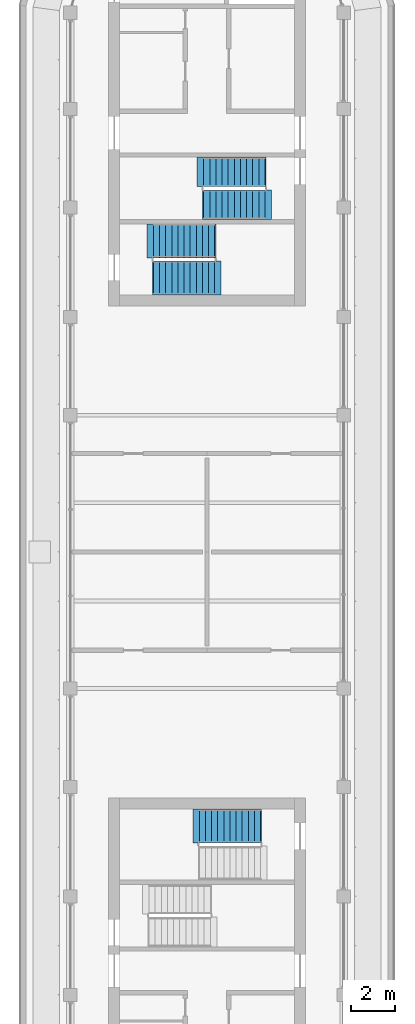
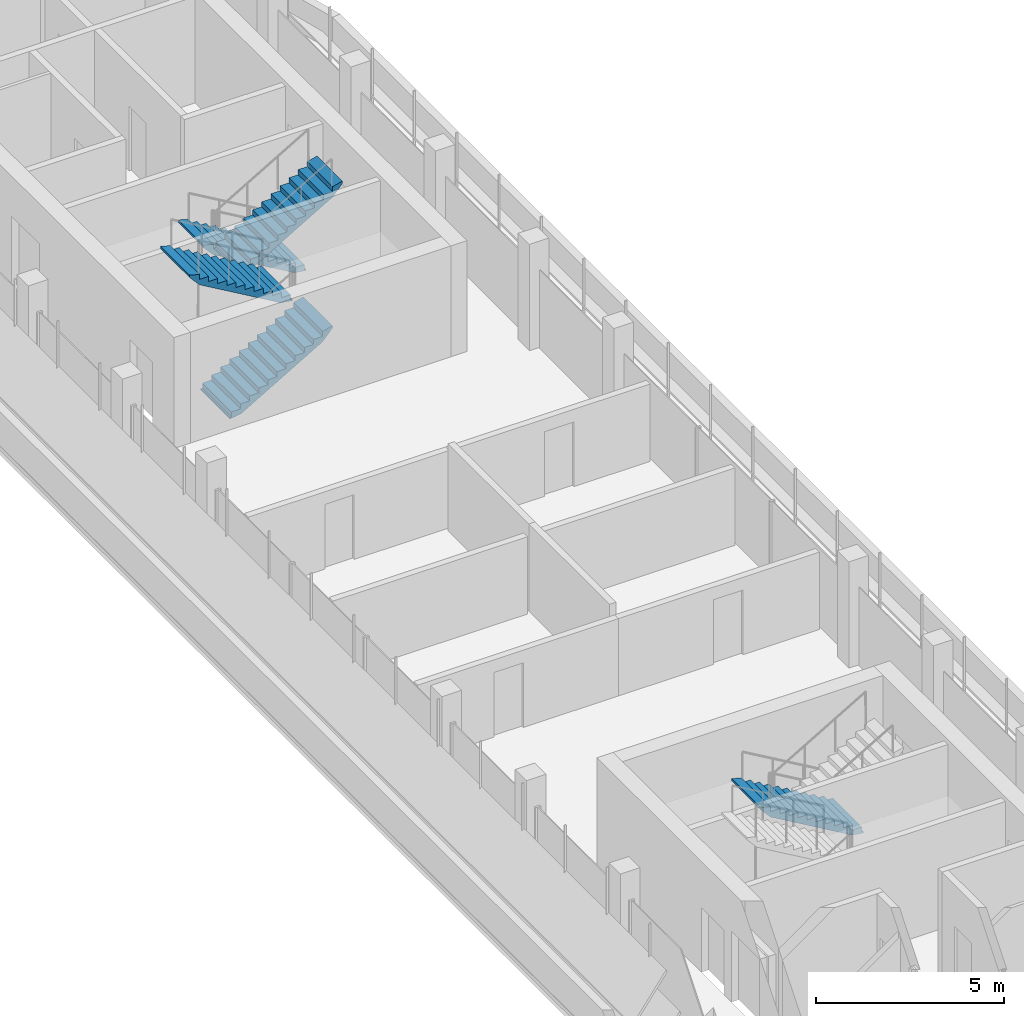
# One storey, part 10 of 12: 5 stair flights, 3 elements without a shape of their own.
"""IFC4 building model written with IfcOpenShell, lengths in metres."""

from ifc_helpers import new_model, si_unit, direction, frame, origin, place, context, subcontext, project, spatial, polyline, outline, extrude, material, type_object, element, aggregate, save


model = new_model("IFC4")

# Units and contexts
model_context = context("Model", 3, precision=1e-05, world=origin(), true_north=direction((0.0, 1.0)))
body_context = subcontext(model_context, "Body", "Model", "MODEL_VIEW")
ifc_project = project(units=[si_unit("LENGTHUNIT", "METRE"), si_unit("AREAUNIT", "SQUARE_METRE"), si_unit("VOLUMEUNIT", "CUBIC_METRE"), si_unit("PLANEANGLEUNIT", "RADIAN"), si_unit("MASSUNIT", "GRAM", prefix="KILO")], contexts=[model_context])

# Site, building, storey
site_placement = place(None, origin())
site = spatial("IfcSite", under=ifc_project, at=site_placement, CompositionType="ELEMENT")
building_placement = place(site_placement, origin())
building = spatial("IfcBuilding", under=site, at=building_placement, Name="Zarbagh Exchange Tower", CompositionType="ELEMENT")
storey_placement = place(building_placement, frame((0.0, 0.0, 309.60009765625)))
storey = spatial("IfcBuildingStorey", under=building, at=storey_placement, Name="L76", CompositionType="ELEMENT", Elevation=309.60009765625)

# Stair, stair flights
ifc_material = material(Name="Concrete C40/50", Category="concrete")
stair_type = type_object("IfcStairType", Name="Exit stair two-flight half-turn", PredefinedType="HALF_TURN_STAIR", material=ifc_material)
stair_1_placement = place(storey_placement, origin())
stair_1 = element("IfcStair", 1, at=stair_1_placement, inside=storey, type_object=stair_type, Name="exit stair ST1", PredefinedType="HALF_TURN_STAIR")
stair_flight_type_1 = type_object("IfcStairFlightType", Name="Stair flight 1350 mm", PredefinedType="STRAIGHT", material=ifc_material)
stair_flight_1_placement = place(storey_placement, frame((2.64990234375, 17.375, 0.0), z_axis=(0.0, 0.0, 1.0), x_axis=(-1.0, 0.0, 0.0)))
stair_flight_1 = element("IfcStairFlight", 2, at=stair_flight_1_placement, type_object=stair_flight_type_1, Name="ST1 flight 1", NumberOfRisers=11, NumberOfTreads=10, PredefinedType="STRAIGHT", RiserHeight=0.163636364, TreadLength=0.28, context=body_context, shape_type="SweptSolid", body=[
    extrude(outline(polyline([(-0.050048828125, -0.050048828125), (-0.050048828125, 0.0), (0.0, 0.0), (0.0, 0.16357421875), (0.280029296875, 0.16357421875), (0.280029296875, 0.327392578125), (0.56005859375, 0.327392578125), (0.56005859375, 0.490966796875), (0.840087890625, 0.490966796875), (0.840087890625, 0.654541015625), (1.1201171875, 0.654541015625), (1.1201171875, 0.818115234375), (1.39990234375, 0.818115234375), (1.39990234375, 0.98193359375), (1.679931640625, 0.98193359375), (1.679931640625, 1.1455078125), (1.9599609375, 1.1455078125), (1.9599609375, 1.30908203125), (2.239990234375, 1.30908203125), (2.239990234375, 1.47265625), (2.52001953125, 1.47265625), (2.52001953125, 1.636474609375), (2.800048828125, 1.636474609375), (2.800048828125, 1.800048828125), (3.10009765625, 1.8798828125), (3.10009765625, 1.800048828125), (2.800048828125, 1.462646484375), (0.297119140625, 0.0), (-0.050048828125, -0.050048828125)])), frame((0.0, 0.675048828125, 0.0), z_axis=(0.0, -1.0, 0.0), x_axis=(1.0, 0.0, 0.0)), (0.0, 0.0, 1.0), 1.35009765625),
])
stair_flight_2_placement = place(storey_placement, frame((-0.14990234375, 15.875, 1.7998046875), z_axis=(0.0, 0.0, 1.0), x_axis=(1.0, 0.0, 0.0)))
stair_flight_2 = element("IfcStairFlight", 3, at=stair_flight_2_placement, type_object=stair_flight_type_1, Name="ST1 flight 2", NumberOfRisers=11, NumberOfTreads=10, PredefinedType="STRAIGHT", RiserHeight=0.163636364, TreadLength=0.28, context=body_context, shape_type="SweptSolid", body=[
    extrude(outline(polyline([(-0.050048828125, -0.050048828125), (-0.050048828125, 0.0), (0.0, 0.0), (0.0, 0.16357421875), (0.280029296875, 0.16357421875), (0.280029296875, 0.327392578125), (0.56005859375, 0.327392578125), (0.56005859375, 0.490966796875), (0.840087890625, 0.490966796875), (0.840087890625, 0.654541015625), (1.1201171875, 0.654541015625), (1.1201171875, 0.818115234375), (1.39990234375, 0.818115234375), (1.39990234375, 0.98193359375), (1.679931640625, 0.98193359375), (1.679931640625, 1.1455078125), (1.9599609375, 1.1455078125), (1.9599609375, 1.30908203125), (2.239990234375, 1.30908203125), (2.239990234375, 1.47265625), (2.52001953125, 1.47265625), (2.52001953125, 1.636474609375), (2.800048828125, 1.636474609375), (2.800048828125, 1.800048828125), (3.10009765625, 1.8798828125), (3.10009765625, 1.800048828125), (2.800048828125, 1.462646484375), (0.297119140625, 0.0), (-0.050048828125, -0.050048828125)])), frame((0.0, 0.675048828125, 0.0), z_axis=(0.0, -1.0, 0.0), x_axis=(1.0, 0.0, 0.0)), (0.0, 0.0, 1.0), 1.35009765625),
])
aggregate(stair_1, [stair_flight_1, stair_flight_2])

stair_2_placement = place(storey_placement, origin())
stair_2 = element("IfcStair", 4, at=stair_2_placement, inside=storey, type_object=stair_type, Name="exit stair ST2", PredefinedType="HALF_TURN_STAIR")
stair_flight_type_2 = type_object("IfcStairFlightType", Name="Stair flight 1550 mm", PredefinedType="STRAIGHT", material=ifc_material)
stair_flight_3_placement = place(storey_placement, frame((-2.449951171875, 12.52490234375, 0.0), z_axis=(0.0, 0.0, 1.0), x_axis=(1.0, 0.0, 0.0)))
stair_flight_3 = element("IfcStairFlight", 5, at=stair_flight_3_placement, type_object=stair_flight_type_2, Name="ST2 flight 1", NumberOfRisers=11, NumberOfTreads=10, PredefinedType="STRAIGHT", RiserHeight=0.163636364, TreadLength=0.28, context=body_context, shape_type="SweptSolid", body=[
    extrude(outline(polyline([(-0.050048828125, -0.050048828125), (-0.050048828125, 0.0), (0.0, 0.0), (0.0, 0.16357421875), (0.280029296875, 0.16357421875), (0.280029296875, 0.327392578125), (0.56005859375, 0.327392578125), (0.56005859375, 0.490966796875), (0.840087890625, 0.490966796875), (0.840087890625, 0.654541015625), (1.1201171875, 0.654541015625), (1.1201171875, 0.818115234375), (1.39990234375, 0.818115234375), (1.39990234375, 0.98193359375), (1.679931640625, 0.98193359375), (1.679931640625, 1.1455078125), (1.9599609375, 1.1455078125), (1.9599609375, 1.30908203125), (2.239990234375, 1.30908203125), (2.239990234375, 1.47265625), (2.52001953125, 1.47265625), (2.52001953125, 1.636474609375), (2.800048828125, 1.636474609375), (2.800048828125, 1.800048828125), (3.10009765625, 1.8798828125), (3.10009765625, 1.800048828125), (2.800048828125, 1.462646484375), (0.297119140625, 0.0), (-0.050048828125, -0.050048828125)])), frame((0.0, 0.77490234375, 0.0), z_axis=(0.0, -1.0, 0.0), x_axis=(1.0, 0.0, 0.0)), (0.0, 0.0, 1.0), 1.550048828125),
])
stair_flight_4_placement = place(storey_placement, frame((0.35009765625, 14.22509765625, 1.7998046875), z_axis=(0.0, 0.0, 1.0), x_axis=(-1.0, 0.0, 0.0)))
stair_flight_4 = element("IfcStairFlight", 6, at=stair_flight_4_placement, type_object=stair_flight_type_2, Name="ST2 flight 2", NumberOfRisers=11, NumberOfTreads=10, PredefinedType="STRAIGHT", RiserHeight=0.163636364, TreadLength=0.28, context=body_context, shape_type="SweptSolid", body=[
    extrude(outline(polyline([(-0.050048828125, -0.050048828125), (-0.050048828125, 0.0), (0.0, 0.0), (0.0, 0.16357421875), (0.280029296875, 0.16357421875), (0.280029296875, 0.327392578125), (0.56005859375, 0.327392578125), (0.56005859375, 0.490966796875), (0.840087890625, 0.490966796875), (0.840087890625, 0.654541015625), (1.1201171875, 0.654541015625), (1.1201171875, 0.818115234375), (1.39990234375, 0.818115234375), (1.39990234375, 0.98193359375), (1.679931640625, 0.98193359375), (1.679931640625, 1.1455078125), (1.9599609375, 1.1455078125), (1.9599609375, 1.30908203125), (2.239990234375, 1.30908203125), (2.239990234375, 1.47265625), (2.52001953125, 1.47265625), (2.52001953125, 1.636474609375), (2.800048828125, 1.636474609375), (2.800048828125, 1.800048828125), (3.10009765625, 1.8798828125), (3.10009765625, 1.800048828125), (2.800048828125, 1.462646484375), (0.297119140625, 0.0), (-0.050048828125, -0.050048828125)])), frame((0.0, 0.77490234375, 0.0), z_axis=(0.0, -1.0, 0.0), x_axis=(1.0, 0.0, 0.0)), (0.0, 0.0, 1.0), 1.550048828125),
])
aggregate(stair_2, [stair_flight_3, stair_flight_4])

# Stair, stair flight
stair_3_placement = place(storey_placement, origin())
stair_3 = element("IfcStair", 7, at=stair_3_placement, inside=storey, type_object=stair_type, Name="exit stair ST4", PredefinedType="HALF_TURN_STAIR")
stair_flight_5_placement = place(storey_placement, frame((2.449951171875, -12.52490234375, 0.0), z_axis=(0.0, 0.0, 1.0), x_axis=(-1.0, 0.0, 0.0)))
stair_flight_5 = element("IfcStairFlight", 8, at=stair_flight_5_placement, type_object=stair_flight_type_2, Name="ST4 flight 1", NumberOfRisers=11, NumberOfTreads=10, PredefinedType="STRAIGHT", RiserHeight=0.163636364, TreadLength=0.28, context=body_context, shape_type="SweptSolid", body=[
    extrude(outline(polyline([(-0.050048828125, -0.050048828125), (-0.050048828125, 0.0), (0.0, 0.0), (0.0, 0.16357421875), (0.280029296875, 0.16357421875), (0.280029296875, 0.327392578125), (0.56005859375, 0.327392578125), (0.56005859375, 0.490966796875), (0.840087890625, 0.490966796875), (0.840087890625, 0.654541015625), (1.1201171875, 0.654541015625), (1.1201171875, 0.818115234375), (1.39990234375, 0.818115234375), (1.39990234375, 0.98193359375), (1.679931640625, 0.98193359375), (1.679931640625, 1.1455078125), (1.9599609375, 1.1455078125), (1.9599609375, 1.30908203125), (2.239990234375, 1.30908203125), (2.239990234375, 1.47265625), (2.52001953125, 1.47265625), (2.52001953125, 1.636474609375), (2.800048828125, 1.636474609375), (2.800048828125, 1.800048828125), (3.10009765625, 1.8798828125), (3.10009765625, 1.800048828125), (2.800048828125, 1.462646484375), (0.297119140625, 0.0), (-0.050048828125, -0.050048828125)])), frame((0.0, 0.77490234375, 0.0), z_axis=(0.0, -1.0, 0.0), x_axis=(1.0, 0.0, 0.0)), (0.0, 0.0, 1.0), 1.550048828125),
])
aggregate(stair_3, [stair_flight_5])

save(model, "model.ifc")
